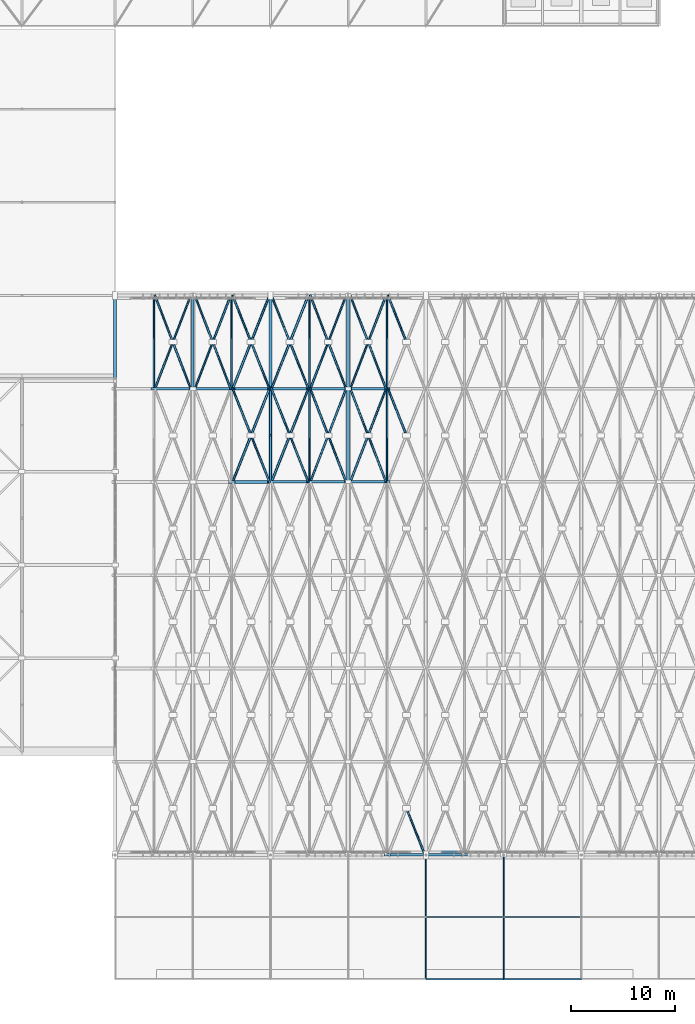
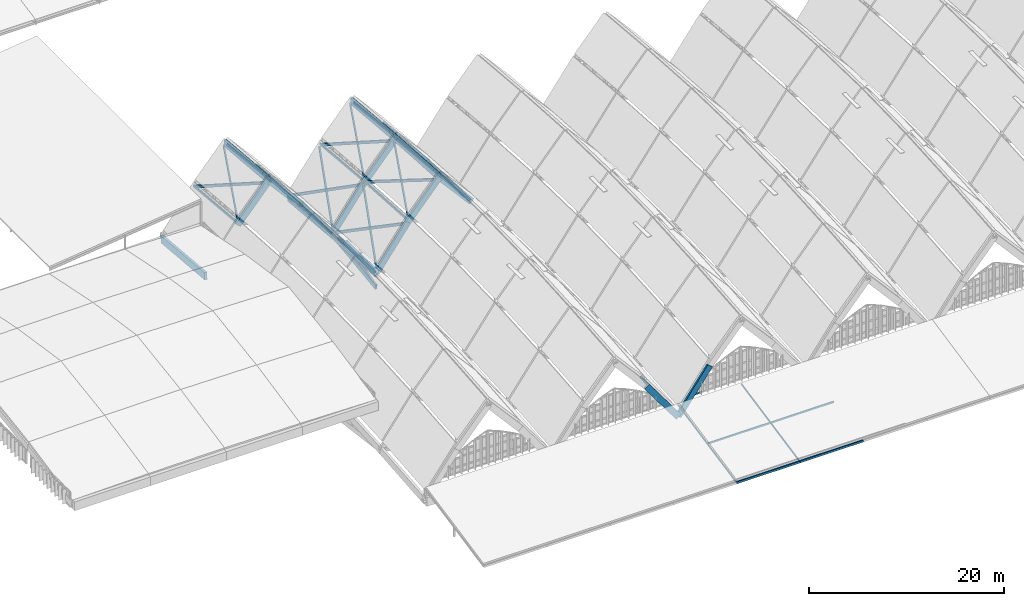
# One storey, part 30 of 93: 48 members, 18 beams, 1 element without a shape of its own.
"""IFC4 building model written with IfcOpenShell, lengths in metres."""

from ifc_helpers import new_model, si_unit, direction, frame, origin, origin_2d, place, context, subcontext, project, spatial, rectangle, hollow_rectangle, extrude, material, material_profile, profile_set, type_object, element, aggregate, save


model = new_model("IFC4")

# Units and contexts
model_context = context("Model", 3, precision=1e-05, world=origin(), true_north=direction((0.0, 1.0)))
body_context = subcontext(model_context, "Body", "Model", "MODEL_VIEW")
ifc_project = project(units=[si_unit("LENGTHUNIT", "METRE"), si_unit("AREAUNIT", "SQUARE_METRE"), si_unit("VOLUMEUNIT", "CUBIC_METRE"), si_unit("PLANEANGLEUNIT", "RADIAN"), si_unit("MASSUNIT", "GRAM", prefix="KILO")], contexts=[model_context])

# Site, building, storey
site_placement = place(None, origin())
site = spatial("IfcSite", under=ifc_project, at=site_placement, CompositionType="ELEMENT")
building_placement = place(site_placement, origin())
building = spatial("IfcBuilding", under=site, at=building_placement, Name="Vourika Railside Aquatics Centre", CompositionType="ELEMENT")
storey_placement = place(building_placement, frame((0.0, 0.0, 21.89990234375)))
storey = spatial("IfcBuildingStorey", under=building, at=storey_placement, Name="Roof", CompositionType="ELEMENT", Elevation=21.89990234375)

# Beams
ifc_material_1 = material(Name="Glulam GL32h", Category="wood")
ifc_material_profile_1 = material_profile(ifc_material_1, rectangle(XDim=0.239990234375, YDim=0.719970703125, at=origin_2d()), Name="GL32h 240x720")
ifc_profile_set_1 = profile_set([ifc_material_profile_1], Name="Glulam GL32h")
beam_type_1 = type_object("IfcBeamType", Name="BM-GL-ARCH-240x720", PredefinedType="BEAM", material=ifc_profile_set_1)
beam_1_placement = place(storey_placement, frame((62.25, 12.0, -6.599853515625), z_axis=(0.592383087934, 0.0, -0.805656426233), x_axis=(0.0, 1.0, 0.0)))
element("IfcBeam", 1, at=beam_1_placement, inside=storey, type_object=beam_type_1, Name="Pointed Glulam Vault Arch Rib GAR-0038", PredefinedType="BEAM", context=body_context, shape_type="SweptSolid", body=[
    extrude(rectangle(XDim=0.239990234375, YDim=0.719970703125, at=origin_2d()), origin(), (0.0, 0.0, 1.0), 6.330322265625),
])
beam_2_placement = place(storey_placement, frame((51.0, 48.0, -10.314208984375), z_axis=(0.592401494544, 0.0, 0.805642891896), x_axis=(0.0, 1.0, 0.0)))
element("IfcBeam", 2, at=beam_2_placement, inside=storey, type_object=beam_type_1, Name="Pointed Glulam Vault Arch Rib GAR-0051", PredefinedType="BEAM", context=body_context, shape_type="SweptSolid", body=[
    extrude(rectangle(XDim=0.239990234375, YDim=0.719970703125, at=origin_2d()), origin(), (0.0, 0.0, 1.0), 6.330078125),
])
for number, where, z_axis, x_axis, name in (
    (3, (54.75, 48.0, -5.21435546875), (0.657258623263, 0.0, 0.75366511273), (0.0, 1.0, 0.0), "Pointed Glulam Vault Arch Rib GAR-0052"),
    (4, (58.5, 48.0, -0.914306640625), (0.657258623263, 0.0, -0.75366511273), (0.0, 1.0, 0.0), "Pointed Glulam Vault Arch Rib GAR-0053"),
):
    element("IfcBeam", number, at=place(storey_placement, frame(where, z_axis=z_axis, x_axis=x_axis)), inside=storey, type_object=beam_type_1, Name=name, PredefinedType="BEAM", context=body_context, shape_type="SweptSolid", body=[
        extrude(rectangle(XDim=0.239990234375, YDim=0.719970703125, at=origin_2d()), origin(), (0.0, 0.0, 1.0), 5.70556640625),
    ])
beam_3_placement = place(storey_placement, frame((51.0, 57.0, -10.89990234375), z_axis=(0.592383087934, 0.0, 0.805656426233), x_axis=(0.0, 1.0, 0.0)))
element("IfcBeam", 5, at=beam_3_placement, inside=storey, type_object=beam_type_1, Name="Pointed Glulam Vault Arch Rib GAR-0055", PredefinedType="BEAM", context=body_context, shape_type="SweptSolid", body=[
    extrude(rectangle(XDim=0.239990234375, YDim=0.719970703125, at=origin_2d()), origin(), (0.0, 0.0, 1.0), 6.330322265625),
])
for number, where, z_axis, x_axis, name in (
    (6, (54.75, 57.0, -5.7998046875), (0.657279819973, 0.0, 0.753646626912), (0.0, 1.0, 0.0), "Pointed Glulam Vault Arch Rib GAR-0056"),
    (7, (58.5, 57.0, -1.5), (0.657279819973, 0.0, -0.753646626912), (0.0, 1.0, 0.0), "Pointed Glulam Vault Arch Rib GAR-0057"),
):
    element("IfcBeam", number, at=place(storey_placement, frame(where, z_axis=z_axis, x_axis=x_axis)), inside=storey, type_object=beam_type_1, Name=name, PredefinedType="BEAM", context=body_context, shape_type="SweptSolid", body=[
        extrude(rectangle(XDim=0.239990234375, YDim=0.719970703125, at=origin_2d()), origin(), (0.0, 0.0, 1.0), 5.705322265625),
    ])
beam_4_placement = place(storey_placement, frame((66.0, 12.0, -11.699951171875), z_axis=(0.592383087934, 0.0, 0.805656426233), x_axis=(0.0, 1.0, 0.0)))
element("IfcBeam", 8, at=beam_4_placement, inside=storey, type_object=beam_type_1, Name="Pointed Glulam Vault Arch Rib GAR-0069", PredefinedType="BEAM", context=body_context, shape_type="SweptSolid", body=[
    extrude(rectangle(XDim=0.239990234375, YDim=0.719970703125, at=origin_2d()), origin(), (0.0, 0.0, 1.0), 6.330322265625),
])
ifc_material_profile_2 = material_profile(ifc_material_1, rectangle(XDim=0.260009765625, YDim=0.760009765625, at=origin_2d()), Name="GL32h 260x760")
ifc_profile_set_2 = profile_set([ifc_material_profile_2], Name="Glulam GL32h")
beam_type_2 = type_object("IfcBeamType", Name="BM-GL-ARCH-260x760", PredefinedType="BEAM", material=ifc_profile_set_2)
beam_5_placement = place(storey_placement, frame((47.25, 48.0, -5.21435546875), z_axis=(0.592401494544, 0.0, -0.805642891896), x_axis=(0.0, 1.0, 0.0)))
element("IfcBeam", 9, at=beam_5_placement, inside=storey, type_object=beam_type_2, Name="Pointed Glulam Vault Arch Rib GAR-0020", PredefinedType="BEAM", context=body_context, shape_type="SweptSolid", body=[
    extrude(rectangle(XDim=0.260009765625, YDim=0.760009765625, at=origin_2d()), origin(), (0.0, 0.0, 1.0), 6.330078125),
])
for number, where, z_axis, x_axis, name in (
    (10, (39.75, 57.0, -5.7998046875), (0.657279819973, 0.0, 0.753646626912), (0.0, 1.0, 0.0), "Pointed Glulam Vault Arch Rib GAR-0022"),
    (11, (43.5, 57.0, -1.5), (0.657279819973, 0.0, -0.753646626912), (0.0, 1.0, 0.0), "Pointed Glulam Vault Arch Rib GAR-0023"),
):
    element("IfcBeam", number, at=place(storey_placement, frame(where, z_axis=z_axis, x_axis=x_axis)), inside=storey, type_object=beam_type_2, Name=name, PredefinedType="BEAM", context=body_context, shape_type="SweptSolid", body=[
        extrude(rectangle(XDim=0.260009765625, YDim=0.760009765625, at=origin_2d()), origin(), (0.0, 0.0, 1.0), 5.705322265625),
    ])
beam_6_placement = place(storey_placement, frame((47.25, 57.0, -5.7998046875), z_axis=(0.592383087934, 0.0, -0.805656426233), x_axis=(0.0, 1.0, 0.0)))
element("IfcBeam", 12, at=beam_6_placement, inside=storey, type_object=beam_type_2, Name="Pointed Glulam Vault Arch Rib GAR-0024", PredefinedType="BEAM", context=body_context, shape_type="SweptSolid", body=[
    extrude(rectangle(XDim=0.260009765625, YDim=0.760009765625, at=origin_2d()), origin(), (0.0, 0.0, 1.0), 6.330322265625),
])
ifc_material_profile_3 = material_profile(ifc_material_1, rectangle(XDim=0.280029296875, YDim=0.800048828125, at=origin_2d()), Name="GL32h 280x800")
ifc_profile_set_3 = profile_set([ifc_material_profile_3], Name="Glulam GL32h")
beam_type_3 = type_object("IfcBeamType", Name="BM-GL-RIDGE-280x800", PredefinedType="BEAM", material=ifc_profile_set_3)
beam_7_placement = place(storey_placement, frame((58.5, 48.0, -0.914306640625), z_axis=(0.0, 0.997889191565, -0.064939674766), x_axis=(-1.0, 0.0, 0.0)))
element("IfcBeam", 13, at=beam_7_placement, inside=storey, type_object=beam_type_3, Name="Vault Pointed Ridge Beam GRB-0067", PredefinedType="BEAM", context=body_context, shape_type="SweptSolid", body=[
    extrude(rectangle(XDim=0.280029296875, YDim=0.800048828125, at=origin_2d()), origin(), (0.0, 0.0, 1.0), 9.01904296875),
])
beam_8_placement = place(storey_placement, frame((58.5, 57.0, -1.5), z_axis=(0.0, 0.996074546839, -0.088518343518), x_axis=(-1.0, 0.0, 0.0)))
element("IfcBeam", 14, at=beam_8_placement, inside=storey, type_object=beam_type_3, Name="Vault Pointed Ridge Beam GRB-0068", PredefinedType="BEAM", context=body_context, shape_type="SweptSolid", body=[
    extrude(rectangle(XDim=0.280029296875, YDim=0.800048828125, at=origin_2d()), origin(), (0.0, 0.0, 1.0), 9.035400390625),
])
ifc_material_profile_4 = material_profile(ifc_material_1, rectangle(XDim=0.280029296875, YDim=0.840087890625, at=origin_2d()), Name="GL32h 280x840")
ifc_profile_set_4 = profile_set([ifc_material_profile_4], Name="Glulam GL32h")
beam_type_4 = type_object("IfcBeamType", Name="BM-GL-RIDGE-280x840", PredefinedType="BEAM", material=ifc_profile_set_4)
beam_9_placement = place(storey_placement, frame((43.5, 57.0, -1.5), z_axis=(0.0, 0.996074546839, -0.088518343518), x_axis=(-1.0, 0.0, 0.0)))
element("IfcBeam", 15, at=beam_9_placement, inside=storey, type_object=beam_type_4, Name="Vault Pointed Ridge Beam GRB-0034", PredefinedType="BEAM", context=body_context, shape_type="SweptSolid", body=[
    extrude(rectangle(XDim=0.280029296875, YDim=0.840087890625, at=origin_2d()), origin(), (0.0, 0.0, 1.0), 9.035400390625),
])
ifc_material_profile_5 = material_profile(ifc_material_1, rectangle(XDim=0.300048828125, YDim=0.89990234375, at=origin_2d()), Name="GL32h 300x900")
ifc_profile_set_5 = profile_set([ifc_material_profile_5], Name="Glulam GL32h")
beam_type_5 = type_object("IfcBeamType", Name="BM-GL-VAL-300x900", PredefinedType="BEAM", material=ifc_profile_set_5)
beam_10_placement = place(storey_placement, frame((36.0, 57.0, -10.89990234375), z_axis=(0.0, 0.996072164085, -0.088545151956), x_axis=(-1.0, 0.0, 0.0)))
element("IfcBeam", 16, at=beam_10_placement, inside=storey, type_object=beam_type_5, Name="Vault Valley Arch Rib VTR-006", PredefinedType="BEAM", context=body_context, shape_type="SweptSolid", body=[
    extrude(rectangle(XDim=0.300048828125, YDim=0.89990234375, at=origin_2d()), origin(), (0.0, 0.0, 1.0), 9.035400390625),
])
beam_11_placement = place(storey_placement, frame((51.0, 48.0, -10.314208984375), z_axis=(0.0, 0.997889191565, -0.064939674766), x_axis=(-1.0, 0.0, 0.0)))
element("IfcBeam", 17, at=beam_11_placement, inside=storey, type_object=beam_type_5, Name="Vault Valley Arch Rib VTR-011", PredefinedType="BEAM", context=body_context, shape_type="SweptSolid", body=[
    extrude(rectangle(XDim=0.300048828125, YDim=0.89990234375, at=origin_2d()), origin(), (0.0, 0.0, 1.0), 9.01904296875),
])
beam_12_placement = place(storey_placement, frame((51.0, 57.0, -10.89990234375), z_axis=(0.0, 0.996072164085, -0.088545151956), x_axis=(-1.0, 0.0, 0.0)))
element("IfcBeam", 18, at=beam_12_placement, inside=storey, type_object=beam_type_5, Name="Vault Valley Arch Rib VTR-012", PredefinedType="BEAM", context=body_context, shape_type="SweptSolid", body=[
    extrude(rectangle(XDim=0.300048828125, YDim=0.89990234375, at=origin_2d()), origin(), (0.0, 0.0, 1.0), 9.035400390625),
])

# Curtain wall, member
ifc_material_2 = material(Name="Anodized thermally broken aluminium", Category="aluminium")
curtain_wall_type = type_object("IfcCurtainWallType", Name="CW-VLTS2", PredefinedType="NOTDEFINED", material=ifc_material_2)
curtain_wall_placement = place(storey_placement, origin())
curtain_wall = element("IfcCurtainWall", 19, at=curtain_wall_placement, inside=storey, type_object=curtain_wall_type, Name="South Boulevard Pointed-Arch Clerestory Curtain Wall Bay 3", PredefinedType="NOTDEFINED")
ifc_material_3 = material(Name="Anodized aluminium transom", Category="aluminium")
ifc_material_profile_6 = material_profile(ifc_material_3, rectangle(XDim=0.087890625, YDim=0.19189453125, at=origin_2d()), Name="ALU-T 88x192")
ifc_profile_set_6 = profile_set([ifc_material_profile_6], Name="Anodized aluminium transom")
member_type_1 = type_object("IfcMemberType", Name="CWT-VLTS2", PredefinedType="USERDEFINED", material=ifc_profile_set_6)
member_1_placement = place(storey_placement, frame((67.637939453125, 12.280029296875, -9.8359375), z_axis=(1.0, 0.0, 0.0), x_axis=(0.0, 1.0, 0.0)))
member_1 = element("IfcMember", 20, at=member_1_placement, type_object=member_type_1, Name="CW04 transom 1.1", ObjectType="TRANSOM", PredefinedType="USERDEFINED", context=body_context, shape_type="SweptSolid", body=[
    extrude(rectangle(XDim=0.087890625, YDim=0.19189453125, at=origin_2d()), origin(), (0.0, 0.0, 1.0), 1.35546875),
])
aggregate(curtain_wall, [member_1])

# Members
ifc_material_profile_7 = material_profile(ifc_material_1, rectangle(XDim=0.219970703125, YDim=0.60009765625, at=origin_2d()), Name="GL32h 220x600")
ifc_profile_set_7 = profile_set([ifc_material_profile_7], Name="Glulam GL32h")
member_type_2 = type_object("IfcMemberType", Name="MEM-GL-CHORD", PredefinedType="CHORD", material=ifc_profile_set_7)
member_2_placement = place(storey_placement, frame((51.0, 48.0, -12.064208984375), z_axis=(0.0, 0.991735627786, 0.128298264131), x_axis=(-1.0, 0.0, 0.0)))
element("IfcMember", 21, at=member_2_placement, inside=storey, type_object=member_type_2, Name="Valley Arch Truss Bottom Chord VBC-011", PredefinedType="CHORD", context=body_context, shape_type="SweptSolid", body=[
    extrude(rectangle(XDim=0.219970703125, YDim=0.60009765625, at=origin_2d()), origin(), (0.0, 0.0, 1.0), 9.074951171875),
])
ifc_material_4 = material(Name="Glulam GL28h", Category="wood")
ifc_material_profile_8 = material_profile(ifc_material_4, rectangle(XDim=0.179931640625, YDim=0.360107421875, at=origin_2d()), Name="GL28h 180x360")
ifc_profile_set_8 = profile_set([ifc_material_profile_8], Name="Glulam GL28h")
member_type_3 = type_object("IfcMemberType", Name="MEM-GL-LATH1", PredefinedType="BRACE", material=ifc_profile_set_8)
member_3_placement = place(storey_placement, frame((47.344970703125, 48.0, -5.347900390625), z_axis=(0.321000574365, 0.811504949484, -0.488281013577), x_axis=(-0.929892910811, 0.367830360933, 0.0)))
element("IfcMember", 22, at=member_3_placement, inside=storey, type_object=member_type_3, Name="Gridshell Continuous Diagonal Lath GLA-0041", PredefinedType="BRACE", context=body_context, shape_type="SweptSolid", body=[
    extrude(rectangle(XDim=0.179931640625, YDim=0.360107421875, at=origin_2d()), origin(), (0.0, 0.0, 1.0), 11.090576171875),
])
member_4_placement = place(storey_placement, frame((47.344970703125, 57.0, -5.936767578125), z_axis=(0.318017835503, 0.80396444164, -0.502499584956), x_axis=(-0.929892910811, 0.367830360933, 0.0)))
element("IfcMember", 23, at=member_4_placement, inside=storey, type_object=member_type_3, Name="Gridshell Continuous Diagonal Lath GLA-0049", PredefinedType="BRACE", context=body_context, shape_type="SweptSolid", body=[
    extrude(rectangle(XDim=0.179931640625, YDim=0.360107421875, at=origin_2d()), origin(), (0.0, 0.0, 1.0), 11.194580078125),
])
member_5_placement = place(storey_placement, frame((51.094970703125, 48.0, -10.189453125), z_axis=(0.336558619113, 0.85083643773, 0.403491824121), x_axis=(-0.929892910811, 0.367830360933, 0.0)))
element("IfcMember", 24, at=member_5_placement, inside=storey, type_object=member_type_3, Name="Gridshell Continuous Diagonal Lath GLA-0093", PredefinedType="BRACE", context=body_context, shape_type="SweptSolid", body=[
    extrude(rectangle(XDim=0.179931640625, YDim=0.360107421875, at=origin_2d()), origin(), (0.0, 0.0, 1.0), 10.577880859375),
])
member_6_placement = place(storey_placement, frame((51.094970703125, 57.0, -10.7783203125), z_axis=(0.339219023139, 0.857562067548, 0.386675257346), x_axis=(-0.929892910811, 0.367830360933, 0.0)))
element("IfcMember", 25, at=member_6_placement, inside=storey, type_object=member_type_3, Name="Gridshell Continuous Diagonal Lath GLA-0103", PredefinedType="BRACE", context=body_context, shape_type="SweptSolid", body=[
    extrude(rectangle(XDim=0.179931640625, YDim=0.360107421875, at=origin_2d()), origin(), (0.0, 0.0, 1.0), 10.494873046875),
])
ifc_material_profile_9 = material_profile(ifc_material_4, rectangle(XDim=0.159912109375, YDim=0.320068359375, at=origin_2d()), Name="GL28h 160x320")
ifc_profile_set_9 = profile_set([ifc_material_profile_9], Name="Glulam GL28h")
member_type_4 = type_object("IfcMemberType", Name="MEM-GL-LATH2", PredefinedType="BRACE", material=ifc_profile_set_9)
for number, where, z_axis, x_axis, name in (
    (26, (50.905029296875, 48.0, -10.189453125), (-0.336558619113, 0.85083643773, 0.403491824121), (-0.929892910811, -0.367830360933, 0.0), "Gridshell Split Counter Lath GLB1-0042"),
    (27, (49.125, 52.5, -8.055419921875), (-0.336558619113, 0.85083643773, 0.403491824121), (-0.929892910811, -0.367830360933, 0.0), "Gridshell Split Counter Lath GLB2-0042"),
):
    element("IfcMember", number, at=place(storey_placement, frame(where, z_axis=z_axis, x_axis=x_axis)), inside=storey, type_object=member_type_4, Name=name, PredefinedType="BRACE", context=body_context, shape_type="SweptSolid", body=[
        extrude(rectangle(XDim=0.159912109375, YDim=0.320068359375, at=origin_2d()), origin(), (0.0, 0.0, 1.0), 5.288818359375),
    ])
member_7_placement = place(storey_placement, frame((39.844970703125, 57.0, -5.698486328125), z_axis=(0.340377647674, 0.886636631138, 0.313079129436), x_axis=(-0.933569951957, 0.358395235463, 0.0)))
element("IfcMember", 28, at=member_7_placement, inside=storey, type_object=member_type_4, Name="Gridshell Continuous Diagonal Lath GLA-0045", PredefinedType="BRACE", context=body_context, shape_type="SweptSolid", body=[
    extrude(rectangle(XDim=0.159912109375, YDim=0.320068359375, at=origin_2d()), origin(), (0.0, 0.0, 1.0), 10.150634765625),
])
for number, where, z_axis, x_axis, name in (
    (29, (43.300048828125, 57.0, -1.73681640625), (-0.32154756466, 0.837586872782, -0.441650760448), (-0.933569951957, -0.358395235463, 0.0), "Gridshell Split Counter Lath GLB1-0046"),
    (30, (41.572509765625, 61.5, -4.109619140625), (-0.321554017818, 0.837603682367, -0.441614181057), (-0.933569951957, -0.358395235463, 0.0), "Gridshell Split Counter Lath GLB2-0046"),
):
    element("IfcMember", number, at=place(storey_placement, frame(where, z_axis=z_axis, x_axis=x_axis)), inside=storey, type_object=member_type_4, Name=name, PredefinedType="BRACE", context=body_context, shape_type="SweptSolid", body=[
        extrude(rectangle(XDim=0.159912109375, YDim=0.320068359375, at=origin_2d()), origin(), (0.0, 0.0, 1.0), 5.37255859375),
    ])
member_8_placement = place(storey_placement, frame((43.699951171875, 57.0, -1.73681640625), z_axis=(0.321550791273, 0.837595277664, -0.441632471028), x_axis=(-0.933569951957, 0.358395235463, 0.0)))
element("IfcMember", 31, at=member_8_placement, inside=storey, type_object=member_type_4, Name="Gridshell Continuous Diagonal Lath GLA-0047", PredefinedType="BRACE", context=body_context, shape_type="SweptSolid", body=[
    extrude(rectangle(XDim=0.159912109375, YDim=0.320068359375, at=origin_2d()), origin(), (0.0, 0.0, 1.0), 10.7451171875),
])
for number, where, z_axis, x_axis, name in (
    (32, (47.155029296875, 57.0, -5.698486328125), (-0.340380210662, 0.886643307367, 0.313057435131), (-0.933569951957, -0.358395235463, 0.0), "Gridshell Split Counter Lath GLB1-0048"),
    (33, (45.427490234375, 61.5, -4.109619140625), (-0.340375084547, 0.886629954547, 0.31310082325), (-0.933569951957, -0.358395235463, 0.0), "Gridshell Split Counter Lath GLB2-0048"),
):
    element("IfcMember", number, at=place(storey_placement, frame(where, z_axis=z_axis, x_axis=x_axis)), inside=storey, type_object=member_type_4, Name=name, PredefinedType="BRACE", context=body_context, shape_type="SweptSolid", body=[
        extrude(rectangle(XDim=0.159912109375, YDim=0.320068359375, at=origin_2d()), origin(), (0.0, 0.0, 1.0), 5.075439453125),
    ])
member_9_placement = place(storey_placement, frame((50.905029296875, 57.0, -10.7783203125), z_axis=(-0.339225125603, 0.857577494874, 0.386635686979), x_axis=(-0.929892910811, -0.367830360933, 0.0)))
element("IfcMember", 34, at=member_9_placement, inside=storey, type_object=member_type_4, Name="Gridshell Split Counter Lath GLB1-0050", PredefinedType="BRACE", context=body_context, shape_type="SweptSolid", body=[
    extrude(rectangle(XDim=0.159912109375, YDim=0.320068359375, at=origin_2d()), origin(), (0.0, 0.0, 1.0), 5.247314453125),
])
member_10_placement = place(storey_placement, frame((49.125, 61.5, -8.74951171875), z_axis=(-0.339212920269, 0.857546639199, 0.386714825576), x_axis=(-0.929892910811, -0.367830360933, 0.0)))
element("IfcMember", 35, at=member_10_placement, inside=storey, type_object=member_type_4, Name="Gridshell Split Counter Lath GLB2-0050", PredefinedType="BRACE", context=body_context, shape_type="SweptSolid", body=[
    extrude(rectangle(XDim=0.159912109375, YDim=0.320068359375, at=origin_2d()), origin(), (0.0, 0.0, 1.0), 5.24755859375),
])
member_11_placement = place(storey_placement, frame((65.905029296875, 12.0, -11.56201171875), z_axis=(-0.318021320636, 0.803973252223, 0.502483282639), x_axis=(-0.929892910811, -0.367830360933, 0.0)))
element("IfcMember", 36, at=member_11_placement, inside=storey, type_object=member_type_4, Name="Gridshell Split Counter Lath GLB1-0060", PredefinedType="BRACE", context=body_context, shape_type="SweptSolid", body=[
    extrude(rectangle(XDim=0.159912109375, YDim=0.320068359375, at=origin_2d()), origin(), (0.0, 0.0, 1.0), 5.59716796875),
])
member_12_placement = place(storey_placement, frame((54.655029296875, 48.0, -5.347900390625), z_axis=(-0.321004024702, 0.811513672104, -0.488264248244), x_axis=(-0.929892910811, -0.367830360933, 0.0)))
element("IfcMember", 37, at=member_12_placement, inside=storey, type_object=member_type_4, Name="Gridshell Split Counter Lath GLB1-0094", PredefinedType="BRACE", context=body_context, shape_type="SweptSolid", body=[
    extrude(rectangle(XDim=0.159912109375, YDim=0.320068359375, at=origin_2d()), origin(), (0.0, 0.0, 1.0), 5.545166015625),
])
member_13_placement = place(storey_placement, frame((52.875, 52.5, -8.055419921875), z_axis=(-0.320997123983, 0.811496226753, -0.48829777837), x_axis=(-0.929892910811, -0.367830360933, 0.0)))
element("IfcMember", 38, at=member_13_placement, inside=storey, type_object=member_type_4, Name="Gridshell Split Counter Lath GLB2-0094", PredefinedType="BRACE", context=body_context, shape_type="SweptSolid", body=[
    extrude(rectangle(XDim=0.159912109375, YDim=0.320068359375, at=origin_2d()), origin(), (0.0, 0.0, 1.0), 5.54541015625),
])
member_14_placement = place(storey_placement, frame((54.844970703125, 48.0, -5.10986328125), z_axis=(0.338120523205, 0.8807571345, 0.331574097021), x_axis=(-0.933569951957, 0.358395235463, 0.0)))
element("IfcMember", 39, at=member_14_placement, inside=storey, type_object=member_type_4, Name="Gridshell Continuous Diagonal Lath GLA-0095", PredefinedType="BRACE", context=body_context, shape_type="SweptSolid", body=[
    extrude(rectangle(XDim=0.159912109375, YDim=0.320068359375, at=origin_2d()), origin(), (0.0, 0.0, 1.0), 10.218505859375),
])
member_15_placement = place(storey_placement, frame((58.300048828125, 48.0, -1.14794921875), z_axis=(-0.324295935921, 0.844745999277, -0.425718619102), x_axis=(-0.933569951957, -0.358395235463, 0.0)))
element("IfcMember", 40, at=member_15_placement, inside=storey, type_object=member_type_4, Name="Gridshell Split Counter Lath GLB1-0096", PredefinedType="BRACE", context=body_context, shape_type="SweptSolid", body=[
    extrude(rectangle(XDim=0.159912109375, YDim=0.320068359375, at=origin_2d()), origin(), (0.0, 0.0, 1.0), 5.3271484375),
])
member_16_placement = place(storey_placement, frame((56.572509765625, 52.5, -3.415771484375), z_axis=(-0.324302263056, 0.84476248059, -0.425681093735), x_axis=(-0.933569951957, -0.358395235463, 0.0)))
element("IfcMember", 41, at=member_16_placement, inside=storey, type_object=member_type_4, Name="Gridshell Split Counter Lath GLB2-0096", PredefinedType="BRACE", context=body_context, shape_type="SweptSolid", body=[
    extrude(rectangle(XDim=0.159912109375, YDim=0.320068359375, at=origin_2d()), origin(), (0.0, 0.0, 1.0), 5.326904296875),
])
member_17_placement = place(storey_placement, frame((58.699951171875, 48.0, -1.14794921875), z_axis=(0.324299099527, 0.844754240035, -0.425699856693), x_axis=(-0.933569951957, 0.358395235463, 0.0)))
element("IfcMember", 42, at=member_17_placement, inside=storey, type_object=member_type_4, Name="Gridshell Continuous Diagonal Lath GLA-0097", PredefinedType="BRACE", context=body_context, shape_type="SweptSolid", body=[
    extrude(rectangle(XDim=0.159912109375, YDim=0.320068359375, at=origin_2d()), origin(), (0.0, 0.0, 1.0), 10.654052734375),
])
for number, where, z_axis, x_axis, name in (
    (43, (62.155029296875, 48.0, -5.10986328125), (-0.338120523205, 0.8807571345, 0.331574097021), (-0.933569951957, -0.358395235463, 0.0), "Gridshell Split Counter Lath GLB1-0098"),
    (44, (60.427490234375, 52.5, -3.415771484375), (-0.338120523205, 0.8807571345, 0.331574097021), (-0.933569951957, -0.358395235463, 0.0), "Gridshell Split Counter Lath GLB2-0098"),
):
    element("IfcMember", number, at=place(storey_placement, frame(where, z_axis=z_axis, x_axis=x_axis)), inside=storey, type_object=member_type_4, Name=name, PredefinedType="BRACE", context=body_context, shape_type="SweptSolid", body=[
        extrude(rectangle(XDim=0.159912109375, YDim=0.320068359375, at=origin_2d()), origin(), (0.0, 0.0, 1.0), 5.109130859375),
    ])
member_18_placement = place(storey_placement, frame((64.125, 52.5, -8.055419921875), z_axis=(-0.336558619113, 0.85083643773, 0.403491824121), x_axis=(-0.929892910811, -0.367830360933, 0.0)))
element("IfcMember", 45, at=member_18_placement, inside=storey, type_object=member_type_4, Name="Gridshell Split Counter Lath GLB2-0100", PredefinedType="BRACE", context=body_context, shape_type="SweptSolid", body=[
    extrude(rectangle(XDim=0.159912109375, YDim=0.320068359375, at=origin_2d()), origin(), (0.0, 0.0, 1.0), 5.288818359375),
])
member_19_placement = place(storey_placement, frame((54.655029296875, 57.0, -5.936767578125), z_axis=(-0.318014350334, 0.803955630964, -0.502515886737), x_axis=(-0.929892910811, -0.367830360933, 0.0)))
element("IfcMember", 46, at=member_19_placement, inside=storey, type_object=member_type_4, Name="Gridshell Split Counter Lath GLB1-0104", PredefinedType="BRACE", context=body_context, shape_type="SweptSolid", body=[
    extrude(rectangle(XDim=0.159912109375, YDim=0.320068359375, at=origin_2d()), origin(), (0.0, 0.0, 1.0), 5.597412109375),
])
member_20_placement = place(storey_placement, frame((52.875, 61.5, -8.74951171875), z_axis=(-0.318021320636, 0.803973252223, -0.502483282639), x_axis=(-0.929892910811, -0.367830360933, 0.0)))
element("IfcMember", 47, at=member_20_placement, inside=storey, type_object=member_type_4, Name="Gridshell Split Counter Lath GLB2-0104", PredefinedType="BRACE", context=body_context, shape_type="SweptSolid", body=[
    extrude(rectangle(XDim=0.159912109375, YDim=0.320068359375, at=origin_2d()), origin(), (0.0, 0.0, 1.0), 5.59716796875),
])
member_21_placement = place(storey_placement, frame((54.844970703125, 57.0, -5.698486328125), z_axis=(0.340377647674, 0.886636631138, 0.313079129436), x_axis=(-0.933569951957, 0.358395235463, 0.0)))
element("IfcMember", 48, at=member_21_placement, inside=storey, type_object=member_type_4, Name="Gridshell Continuous Diagonal Lath GLA-0105", PredefinedType="BRACE", context=body_context, shape_type="SweptSolid", body=[
    extrude(rectangle(XDim=0.159912109375, YDim=0.320068359375, at=origin_2d()), origin(), (0.0, 0.0, 1.0), 10.150634765625),
])
for number, where, z_axis, x_axis, name in (
    (49, (58.300048828125, 57.0, -1.73681640625), (-0.32154756466, 0.837586872782, -0.441650760448), (-0.933569951957, -0.358395235463, 0.0), "Gridshell Split Counter Lath GLB1-0106"),
    (50, (56.572509765625, 61.5, -4.109619140625), (-0.321554017818, 0.837603682367, -0.441614181057), (-0.933569951957, -0.358395235463, 0.0), "Gridshell Split Counter Lath GLB2-0106"),
):
    element("IfcMember", number, at=place(storey_placement, frame(where, z_axis=z_axis, x_axis=x_axis)), inside=storey, type_object=member_type_4, Name=name, PredefinedType="BRACE", context=body_context, shape_type="SweptSolid", body=[
        extrude(rectangle(XDim=0.159912109375, YDim=0.320068359375, at=origin_2d()), origin(), (0.0, 0.0, 1.0), 5.37255859375),
    ])
member_22_placement = place(storey_placement, frame((58.699951171875, 57.0, -1.73681640625), z_axis=(0.321550791273, 0.837595277664, -0.441632471028), x_axis=(-0.933569951957, 0.358395235463, 0.0)))
element("IfcMember", 51, at=member_22_placement, inside=storey, type_object=member_type_4, Name="Gridshell Continuous Diagonal Lath GLA-0107", PredefinedType="BRACE", context=body_context, shape_type="SweptSolid", body=[
    extrude(rectangle(XDim=0.159912109375, YDim=0.320068359375, at=origin_2d()), origin(), (0.0, 0.0, 1.0), 10.7451171875),
])
for number, where, z_axis, x_axis, name in (
    (52, (62.155029296875, 57.0, -5.698486328125), (-0.340380210662, 0.886643307367, 0.313057435131), (-0.933569951957, -0.358395235463, 0.0), "Gridshell Split Counter Lath GLB1-0108"),
    (53, (60.427490234375, 61.5, -4.109619140625), (-0.340375084547, 0.886629954547, 0.31310082325), (-0.933569951957, -0.358395235463, 0.0), "Gridshell Split Counter Lath GLB2-0108"),
):
    element("IfcMember", number, at=place(storey_placement, frame(where, z_axis=z_axis, x_axis=x_axis)), inside=storey, type_object=member_type_4, Name=name, PredefinedType="BRACE", context=body_context, shape_type="SweptSolid", body=[
        extrude(rectangle(XDim=0.159912109375, YDim=0.320068359375, at=origin_2d()), origin(), (0.0, 0.0, 1.0), 5.075439453125),
    ])
member_23_placement = place(storey_placement, frame((64.125, 61.5, -8.74951171875), z_axis=(-0.339212920269, 0.857546639199, 0.386714825576), x_axis=(-0.929892910811, -0.367830360933, 0.0)))
element("IfcMember", 54, at=member_23_placement, inside=storey, type_object=member_type_4, Name="Gridshell Split Counter Lath GLB2-0110", PredefinedType="BRACE", context=body_context, shape_type="SweptSolid", body=[
    extrude(rectangle(XDim=0.159912109375, YDim=0.320068359375, at=origin_2d()), origin(), (0.0, 0.0, 1.0), 5.24755859375),
])
ifc_material_profile_10 = material_profile(ifc_material_4, rectangle(XDim=0.139892578125, YDim=0.280029296875, at=origin_2d()), Name="GL28h 140x280")
ifc_profile_set_10 = profile_set([ifc_material_profile_10], Name="Glulam GL28h")
member_type_5 = type_object("IfcMemberType", Name="MEM-GL-PURLIN", PredefinedType="PURLIN", material=ifc_profile_set_10)
for number, where, z_axis, x_axis, name in (
    (55, (39.75, 57.0, -5.52978515625), (0.0, 0.996072164085, -0.088545151956), (-1.0, 0.0, 0.0), "Vault Timber Purlin GTP-0043"),
    (56, (47.25, 57.0, -5.52978515625), (0.0, 0.996072164085, -0.088545151956), (-1.0, 0.0, 0.0), "Vault Timber Purlin GTP-0044"),
):
    element("IfcMember", number, at=place(storey_placement, frame(where, z_axis=z_axis, x_axis=x_axis)), inside=storey, type_object=member_type_5, Name=name, PredefinedType="PURLIN", context=body_context, shape_type="SweptSolid", body=[
        extrude(rectangle(XDim=0.139892578125, YDim=0.280029296875, at=origin_2d()), origin(), (0.0, 0.0, 1.0), 9.035400390625),
    ])
for number, where, z_axis, x_axis, name in (
    (57, (54.75, 48.0, -4.9443359375), (0.0, 0.997890945376, -0.064912719374), (-1.0, 0.0, 0.0), "Vault Timber Purlin GTP-0091"),
    (58, (62.25, 48.0, -4.9443359375), (0.0, 0.997890945376, -0.064912719374), (-1.0, 0.0, 0.0), "Vault Timber Purlin GTP-0092"),
):
    element("IfcMember", number, at=place(storey_placement, frame(where, z_axis=z_axis, x_axis=x_axis)), inside=storey, type_object=member_type_5, Name=name, PredefinedType="PURLIN", context=body_context, shape_type="SweptSolid", body=[
        extrude(rectangle(XDim=0.139892578125, YDim=0.280029296875, at=origin_2d()), origin(), (0.0, 0.0, 1.0), 9.01904296875),
    ])
for number, where, z_axis, x_axis, name in (
    (59, (54.75, 57.0, -5.52978515625), (0.0, 0.996072164085, -0.088545151956), (-1.0, 0.0, 0.0), "Vault Timber Purlin GTP-0101"),
    (60, (62.25, 57.0, -5.52978515625), (0.0, 0.996072164085, -0.088545151956), (-1.0, 0.0, 0.0), "Vault Timber Purlin GTP-0102"),
):
    element("IfcMember", number, at=place(storey_placement, frame(where, z_axis=z_axis, x_axis=x_axis)), inside=storey, type_object=member_type_5, Name=name, PredefinedType="PURLIN", context=body_context, shape_type="SweptSolid", body=[
        extrude(rectangle(XDim=0.139892578125, YDim=0.280029296875, at=origin_2d()), origin(), (0.0, 0.0, 1.0), 9.035400390625),
    ])
ifc_material_profile_11 = material_profile(ifc_material_4, rectangle(XDim=0.199951171875, YDim=0.39990234375, at=origin_2d()), Name="GL28h 200x400")
ifc_profile_set_11 = profile_set([ifc_material_profile_11], Name="Glulam GL28h")
member_type_6 = type_object("IfcMemberType", Name="MEM-GL-STRUT1", PredefinedType="STRUT", material=ifc_profile_set_11)
member_24_placement = place(storey_placement, frame((51.0, 48.0, -12.064208984375), z_axis=(0.0, 0.95137335537, 0.308040157598), x_axis=(-1.0, 0.0, 0.0)))
element("IfcMember", 61, at=member_24_placement, inside=storey, type_object=member_type_6, Name="Valley Truss Web Strut VWA-011", PredefinedType="STRUT", context=body_context, shape_type="SweptSolid", body=[
    extrude(rectangle(XDim=0.199951171875, YDim=0.39990234375, at=origin_2d()), origin(), (0.0, 0.0, 1.0), 4.72998046875),
])
ifc_material_5 = material(Name="Steel S355J2", Category="steel")
ifc_material_profile_12 = material_profile(ifc_material_5, hollow_rectangle(XDim=0.10009765625, YDim=0.179931640625, WallThickness=0.008056640625, at=origin_2d()), Name="RHS 180x100x8")
ifc_profile_set_12 = profile_set([ifc_material_profile_12], Name="Steel S355J2")
member_type_7 = type_object("IfcMemberType", Name="MEM-STL-RHS180", PredefinedType="RAFTER", material=ifc_profile_set_12)
for number, where, z_axis, x_axis, name in (
    (62, (66.0, 0.0, -12.699951171875), (0.0, 0.979788513636, 0.200036168098), (-1.0, 0.0, 0.0), "Changing Roof Sloped Rafter V4R-66.0"),
    (63, (73.5, 0.0, -12.699951171875), (0.0, 0.979788513636, 0.200036168098), (-1.0, 0.0, 0.0), "Changing Roof Sloped Rafter V4R-73.5"),
):
    element("IfcMember", number, at=place(storey_placement, frame(where, z_axis=z_axis, x_axis=x_axis)), inside=storey, type_object=member_type_7, Name=name, PredefinedType="RAFTER", context=body_context, shape_type="SweptSolid", body=[
        extrude(hollow_rectangle(XDim=0.10009765625, YDim=0.179931640625, WallThickness=0.008056640625, at=origin_2d()), origin(), (0.0, 0.0, 1.0), 12.24755859375),
    ])
ifc_material_profile_13 = material_profile(ifc_material_5, hollow_rectangle(XDim=0.1201171875, YDim=0.199951171875, WallThickness=0.008056640625, at=origin_2d()), Name="RHS 200x120x8")
ifc_profile_set_13 = profile_set([ifc_material_profile_13], Name="Steel S355J2")
member_type_8 = type_object("IfcMemberType", Name="MEM-STL-RHS200", PredefinedType="PURLIN", material=ifc_profile_set_13)
for number, where, z_axis, x_axis, name in (
    (64, (66.0, 6.0, -11.474853515625), (1.0, 0.0, 0.0), (0.0, 1.0, 0.0), "Changing Roof RHS Purlin V4P-66.0-73.5"),
    (65, (73.5, 6.0, -11.474853515625), (1.0, 0.0, 0.0), (0.0, 1.0, 0.0), "Changing Roof RHS Purlin V4P-73.5-81.0"),
):
    element("IfcMember", number, at=place(storey_placement, frame(where, z_axis=z_axis, x_axis=x_axis)), inside=storey, type_object=member_type_8, Name=name, PredefinedType="PURLIN", context=body_context, shape_type="SweptSolid", body=[
        extrude(hollow_rectangle(XDim=0.1201171875, YDim=0.199951171875, WallThickness=0.008056640625, at=origin_2d()), origin(), (0.0, 0.0, 1.0), 7.5),
    ])
ifc_material_profile_14 = material_profile(ifc_material_5, hollow_rectangle(XDim=0.14990234375, YDim=0.25, WallThickness=0.010009765625, at=origin_2d()), Name="RHS 250x150x10")
ifc_profile_set_14 = profile_set([ifc_material_profile_14], Name="Steel S355J2")
member_type_9 = type_object("IfcMemberType", Name="MEM-STL-RHS250", PredefinedType="PURLIN", material=ifc_profile_set_14)
for number, where, z_axis, x_axis, name in (
    (66, (66.0, 0.0, -12.719970703125), (1.0, 0.0, 0.0), (0.0, 1.0, 0.0), "Changing Roof Eave Purlin V4E-66.0-73.5"),
    (67, (73.5, 0.0, -12.719970703125), (1.0, 0.0, 0.0), (0.0, 1.0, 0.0), "Changing Roof Eave Purlin V4E-73.5-81.0"),
):
    element("IfcMember", number, at=place(storey_placement, frame(where, z_axis=z_axis, x_axis=x_axis)), inside=storey, type_object=member_type_9, Name=name, PredefinedType="PURLIN", context=body_context, shape_type="SweptSolid", body=[
        extrude(hollow_rectangle(XDim=0.14990234375, YDim=0.25, WallThickness=0.010009765625, at=origin_2d()), origin(), (0.0, 0.0, 1.0), 7.5),
    ])

save(model, "model.ifc")
